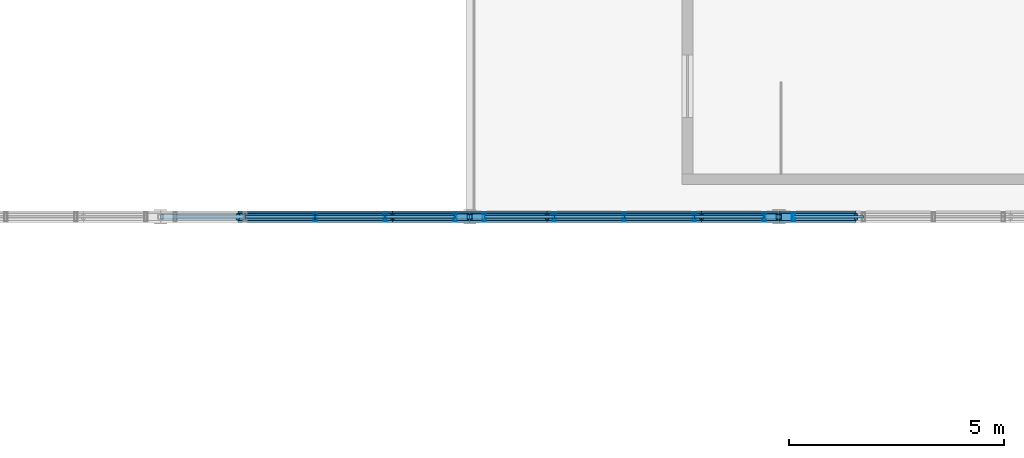
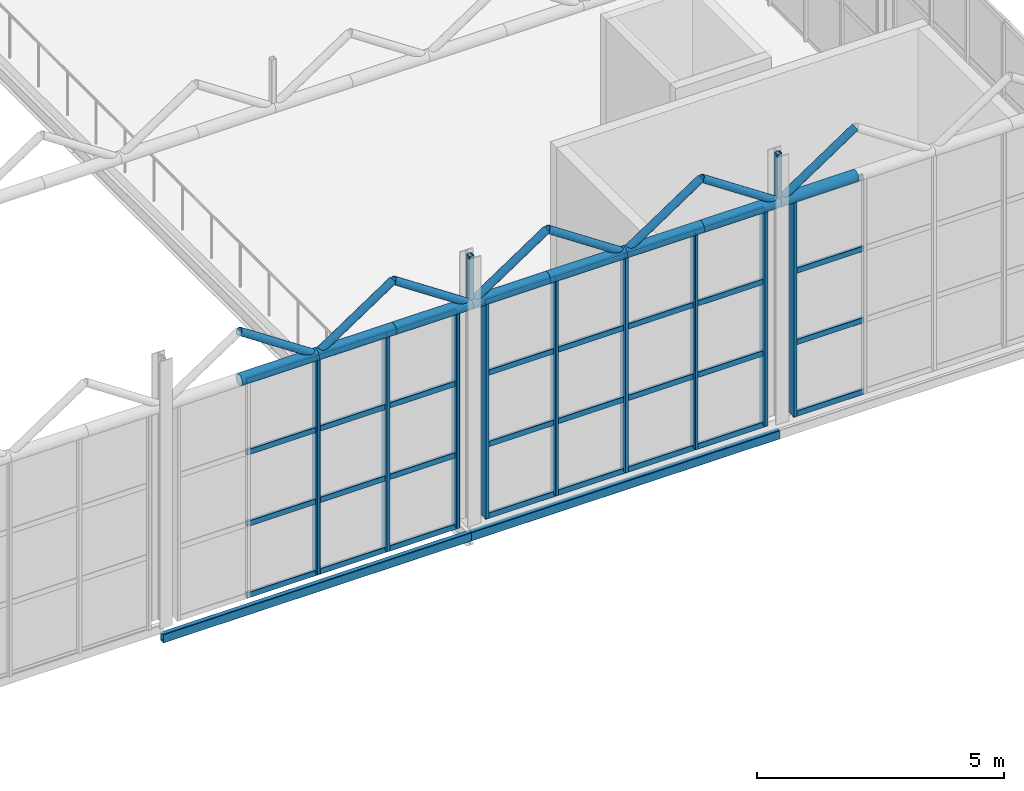
# One storey, part 85 of 153: 59 members, 2 beams, 3 elements without a shape of their own.
"""IFC4 building model written with IfcOpenShell, lengths in metres."""

from ifc_helpers import new_model, si_unit, derived_unit, direction, frame, origin, origin_2d, place, context, subcontext, project, spatial, hollow_rectangle, hollow_circle, extrude, material, material_profile, profile_set, type_object, element, aggregate, save


model = new_model("IFC4")

# Units and contexts
model_context = context("Model", 3, precision=1e-05, world=origin(), true_north=direction((0.0, 1.0)))
body_context = subcontext(model_context, "Body", "Model", "MODEL_VIEW")
ifc_project = project(units=[si_unit("LENGTHUNIT", "METRE"), si_unit("AREAUNIT", "SQUARE_METRE"), si_unit("VOLUMEUNIT", "CUBIC_METRE"), si_unit("PLANEANGLEUNIT", "RADIAN"), si_unit("MASSUNIT", "GRAM", prefix="KILO"), derived_unit("THERMALTRANSMITTANCEUNIT", [(si_unit("POWERUNIT", "WATT"), 1), (si_unit("LENGTHUNIT", "METRE"), -2), (si_unit("THERMODYNAMICTEMPERATUREUNIT", "KELVIN"), -1)])], contexts=[model_context])

# Site, building, storey
site_placement = place(None, origin())
site = spatial("IfcSite", under=ifc_project, at=site_placement, CompositionType="ELEMENT")
building_placement = place(site_placement, origin())
building = spatial("IfcBuilding", under=site, at=building_placement, Name="Keldorne Ridge Multi-Sports Centre", CompositionType="ELEMENT")
storey_placement = place(building_placement, frame((0.0, 0.0, 9.60009765625)))
storey = spatial("IfcBuildingStorey", under=building, at=storey_placement, Name="L02", CompositionType="ELEMENT", Elevation=9.60009765625)

# Beams
ifc_material_1 = material(Name="Steel S355", Category="steel")
ifc_material_profile_1 = material_profile(ifc_material_1, hollow_rectangle(XDim=0.1201171875, YDim=0.219970703125, WallThickness=0.010009765625, InnerFilletRadius=0.010009765625, OuterFilletRadius=0.02001953125, at=origin_2d()), Name="RHS 220x120x10")
ifc_profile_set_1 = profile_set([ifc_material_profile_1], Name="Steel S355")
beam_type = type_object("IfcBeamType", Name="BM-SP-07", PredefinedType="SPANDREL", material=ifc_profile_set_1)
beam_1_placement = place(storey_placement, frame((20.39990234375, 74.0, -0.360107421875), z_axis=(1.0, 0.0, 0.0), x_axis=(0.0, 1.0, 0.0)))
element("IfcBeam", 1, at=beam_1_placement, inside=storey, type_object=beam_type, Name="Climbing spandrel L02.74.3", PredefinedType="SPANDREL", context=body_context, shape_type="SweptSolid", body=[
    extrude(hollow_rectangle(XDim=0.1201171875, YDim=0.219970703125, WallThickness=0.010009765625, InnerFilletRadius=0.010009765625, OuterFilletRadius=0.02001953125, at=origin_2d()), origin(), (0.0, 0.0, 1.0), 7.2001953125),
])
beam_2_placement = place(storey_placement, frame((27.60009765625, 74.0, -0.360107421875), z_axis=(1.0, 0.0, 0.0), x_axis=(0.0, 1.0, 0.0)))
element("IfcBeam", 2, at=beam_2_placement, inside=storey, type_object=beam_type, Name="Climbing spandrel L02.74.4", PredefinedType="SPANDREL", context=body_context, shape_type="SweptSolid", body=[
    extrude(hollow_rectangle(XDim=0.1201171875, YDim=0.219970703125, WallThickness=0.010009765625, InnerFilletRadius=0.010009765625, OuterFilletRadius=0.02001953125, at=origin_2d()), origin(), (0.0, 0.0, 1.0), 7.199951171875),
])

# Curtain wall, members
ifc_material_2 = material(Name="Anodized aluminium", Category="aluminium")
curtain_wall_type_1 = type_object("IfcCurtainWallType", Name="CW-CW-05", PredefinedType="NOTDEFINED", material=ifc_material_2)
curtain_wall_1_placement = place(storey_placement, origin())
curtain_wall_1 = element("IfcCurtainWall", 3, at=curtain_wall_1_placement, inside=storey, type_object=curtain_wall_type_1, Name="Climbing upper south glazing 045", PredefinedType="NOTDEFINED")
ifc_material_profile_2 = material_profile(ifc_material_2, hollow_rectangle(XDim=0.074951171875, YDim=0.219970703125, WallThickness=0.0048828125, InnerFilletRadius=0.0048828125, OuterFilletRadius=0.010009765625, at=origin_2d()), Name="ALU MULLION 220x75x5")
ifc_profile_set_2 = profile_set([ifc_material_profile_2], Name="Anodized aluminium")
member_type_1 = type_object("IfcMemberType", Name="MEM-ML-02", PredefinedType="MULLION", material=ifc_profile_set_2)
member_1_placement = place(storey_placement, frame((24.0, 74.0, 0.0), z_axis=(0.0, 0.0, 1.0), x_axis=(1.0, 0.0, 0.0)))
member_1 = element("IfcMember", 4, at=member_1_placement, type_object=member_type_1, Name="CW-045 vertical mullion 3", PredefinedType="MULLION", context=body_context, shape_type="SweptSolid", body=[
    extrude(hollow_rectangle(XDim=0.074951171875, YDim=0.219970703125, WallThickness=0.0048828125, InnerFilletRadius=0.0048828125, OuterFilletRadius=0.010009765625, at=origin_2d()), origin(), (0.0, 0.0, 1.0), 5.2998046875),
])
member_2_placement = place(storey_placement, frame((25.6298828125, 74.0, 0.0), z_axis=(0.0, 0.0, 1.0), x_axis=(1.0, 0.0, 0.0)))
member_2 = element("IfcMember", 5, at=member_2_placement, type_object=member_type_1, Name="CW-045 vertical mullion 4", PredefinedType="MULLION", context=body_context, shape_type="SweptSolid", body=[
    extrude(hollow_rectangle(XDim=0.074951171875, YDim=0.219970703125, WallThickness=0.0048828125, InnerFilletRadius=0.0048828125, OuterFilletRadius=0.010009765625, at=origin_2d()), origin(), (0.0, 0.0, 1.0), 5.2998046875),
])
member_3_placement = place(storey_placement, frame((27.260009765625, 74.0, 0.0), z_axis=(0.0, 0.0, 1.0), x_axis=(1.0, 0.0, 0.0)))
member_3 = element("IfcMember", 6, at=member_3_placement, type_object=member_type_1, Name="CW-045 vertical mullion 5", PredefinedType="MULLION", context=body_context, shape_type="SweptSolid", body=[
    extrude(hollow_rectangle(XDim=0.074951171875, YDim=0.219970703125, WallThickness=0.0048828125, InnerFilletRadius=0.0048828125, OuterFilletRadius=0.010009765625, at=origin_2d()), origin(), (0.0, 0.0, 1.0), 5.2998046875),
])

curtain_wall_type_2 = type_object("IfcCurtainWallType", Name="CW-CW-01", PredefinedType="NOTDEFINED", material=ifc_material_2)
curtain_wall_2_placement = place(storey_placement, origin())
curtain_wall_2 = element("IfcCurtainWall", 7, at=curtain_wall_2_placement, inside=storey, type_object=curtain_wall_type_2, Name="Climbing upper south glazing 049", PredefinedType="NOTDEFINED")
member_4_placement = place(storey_placement, frame((27.93994140625, 74.0, 0.0), z_axis=(0.0, 0.0, 1.0), x_axis=(1.0, 0.0, 0.0)))
member_4 = element("IfcMember", 8, at=member_4_placement, type_object=member_type_1, Name="CW-049 vertical mullion 1", PredefinedType="MULLION", context=body_context, shape_type="SweptSolid", body=[
    extrude(hollow_rectangle(XDim=0.074951171875, YDim=0.219970703125, WallThickness=0.0048828125, InnerFilletRadius=0.0048828125, OuterFilletRadius=0.010009765625, at=origin_2d()), origin(), (0.0, 0.0, 1.0), 5.2998046875),
])
member_5_placement = place(storey_placement, frame((29.570068359375, 74.0, 0.0), z_axis=(0.0, 0.0, 1.0), x_axis=(1.0, 0.0, 0.0)))
member_5 = element("IfcMember", 9, at=member_5_placement, type_object=member_type_1, Name="CW-049 vertical mullion 2", PredefinedType="MULLION", context=body_context, shape_type="SweptSolid", body=[
    extrude(hollow_rectangle(XDim=0.074951171875, YDim=0.219970703125, WallThickness=0.0048828125, InnerFilletRadius=0.0048828125, OuterFilletRadius=0.010009765625, at=origin_2d()), origin(), (0.0, 0.0, 1.0), 5.2998046875),
])
member_6_placement = place(storey_placement, frame((31.199951171875, 74.0, 0.0), z_axis=(0.0, 0.0, 1.0), x_axis=(1.0, 0.0, 0.0)))
member_6 = element("IfcMember", 10, at=member_6_placement, type_object=member_type_1, Name="CW-049 vertical mullion 3", PredefinedType="MULLION", context=body_context, shape_type="SweptSolid", body=[
    extrude(hollow_rectangle(XDim=0.074951171875, YDim=0.219970703125, WallThickness=0.0048828125, InnerFilletRadius=0.0048828125, OuterFilletRadius=0.010009765625, at=origin_2d()), origin(), (0.0, 0.0, 1.0), 5.2998046875),
])
member_7_placement = place(storey_placement, frame((32.830078125, 74.0, 0.0), z_axis=(0.0, 0.0, 1.0), x_axis=(1.0, 0.0, 0.0)))
member_7 = element("IfcMember", 11, at=member_7_placement, type_object=member_type_1, Name="CW-049 vertical mullion 4", PredefinedType="MULLION", context=body_context, shape_type="SweptSolid", body=[
    extrude(hollow_rectangle(XDim=0.074951171875, YDim=0.219970703125, WallThickness=0.0048828125, InnerFilletRadius=0.0048828125, OuterFilletRadius=0.010009765625, at=origin_2d()), origin(), (0.0, 0.0, 1.0), 5.2998046875),
])
member_8_placement = place(storey_placement, frame((34.4599609375, 74.0, 0.0), z_axis=(0.0, 0.0, 1.0), x_axis=(1.0, 0.0, 0.0)))
member_8 = element("IfcMember", 12, at=member_8_placement, type_object=member_type_1, Name="CW-049 vertical mullion 5", PredefinedType="MULLION", context=body_context, shape_type="SweptSolid", body=[
    extrude(hollow_rectangle(XDim=0.074951171875, YDim=0.219970703125, WallThickness=0.0048828125, InnerFilletRadius=0.0048828125, OuterFilletRadius=0.010009765625, at=origin_2d()), origin(), (0.0, 0.0, 1.0), 5.2998046875),
])

# Curtain wall, member
curtain_wall_type_3 = type_object("IfcCurtainWallType", Name="CW-CW-06", PredefinedType="NOTDEFINED", material=ifc_material_2)
curtain_wall_3_placement = place(storey_placement, origin())
curtain_wall_3 = element("IfcCurtainWall", 13, at=curtain_wall_3_placement, inside=storey, type_object=curtain_wall_type_3, Name="Climbing upper south glazing 054", PredefinedType="NOTDEFINED")
member_9_placement = place(storey_placement, frame((35.139892578125, 74.0, 0.0), z_axis=(0.0, 0.0, 1.0), x_axis=(1.0, 0.0, 0.0)))
member_9 = element("IfcMember", 14, at=member_9_placement, type_object=member_type_1, Name="CW-054 vertical mullion 1", PredefinedType="MULLION", context=body_context, shape_type="SweptSolid", body=[
    extrude(hollow_rectangle(XDim=0.074951171875, YDim=0.219970703125, WallThickness=0.0048828125, InnerFilletRadius=0.0048828125, OuterFilletRadius=0.010009765625, at=origin_2d()), origin(), (0.0, 0.0, 1.0), 5.2998046875),
])

# Members
ifc_material_profile_3 = material_profile(ifc_material_1, hollow_circle(Radius=0.136474609375, WallThickness=0.012451171875, at=origin_2d()), Name="CHS 273x12.5")
ifc_profile_set_3 = profile_set([ifc_material_profile_3], Name="Steel S355")
member_type_2 = type_object("IfcMemberType", Name="MEM-TC-05", PredefinedType="CHORD", material=ifc_profile_set_3)
for number, where, z_axis, x_axis, name in (
    (15, (22.199951171875, 74.0, 5.3798828125), (1.0, 0.0, 0.0), (0.0, 1.0, 0.0), "Climbing sawtooth ROOF TRUSS ST-01 bottom chord 10"),
    (16, (24.0, 74.0, 5.3798828125), (1.0, 0.0, 0.0), (0.0, 1.0, 0.0), "Climbing sawtooth ROOF TRUSS ST-01 bottom chord 11"),
    (17, (25.800048828125, 74.0, 5.3798828125), (1.0, 0.0, 0.0), (0.0, 1.0, 0.0), "Climbing sawtooth ROOF TRUSS ST-01 bottom chord 12"),
):
    element("IfcMember", number, at=place(storey_placement, frame(where, z_axis=z_axis, x_axis=x_axis)), inside=storey, type_object=member_type_2, Name=name, PredefinedType="CHORD", context=body_context, shape_type="SweptSolid", body=[
        extrude(hollow_circle(Radius=0.136474609375, WallThickness=0.012451171875, at=origin_2d()), origin(), (0.0, 0.0, 1.0), 1.800048828125),
    ])
member_10_placement = place(storey_placement, frame((27.60009765625, 74.0, 5.3798828125), z_axis=(1.0, 0.0, 0.0), x_axis=(0.0, 1.0, 0.0)))
element("IfcMember", 18, at=member_10_placement, inside=storey, type_object=member_type_2, Name="Climbing sawtooth ROOF TRUSS ST-01 bottom chord 13", PredefinedType="CHORD", context=body_context, shape_type="SweptSolid", body=[
    extrude(hollow_circle(Radius=0.136474609375, WallThickness=0.012451171875, at=origin_2d()), origin(), (0.0, 0.0, 1.0), 1.7998046875),
])
for number, where, z_axis, x_axis, name in (
    (19, (29.39990234375, 74.0, 5.3798828125), (1.0, 0.0, 0.0), (0.0, 1.0, 0.0), "Climbing sawtooth ROOF TRUSS ST-01 bottom chord 14"),
    (20, (31.199951171875, 74.0, 5.3798828125), (1.0, 0.0, 0.0), (0.0, 1.0, 0.0), "Climbing sawtooth ROOF TRUSS ST-01 bottom chord 15"),
    (21, (33.0, 74.0, 5.3798828125), (1.0, 0.0, 0.0), (0.0, 1.0, 0.0), "Climbing sawtooth ROOF TRUSS ST-01 bottom chord 16"),
    (22, (34.800048828125, 74.0, 5.3798828125), (1.0, 0.0, 0.0), (0.0, 1.0, 0.0), "Climbing sawtooth ROOF TRUSS ST-01 bottom chord 17"),
):
    element("IfcMember", number, at=place(storey_placement, frame(where, z_axis=z_axis, x_axis=x_axis)), inside=storey, type_object=member_type_2, Name=name, PredefinedType="CHORD", context=body_context, shape_type="SweptSolid", body=[
        extrude(hollow_circle(Radius=0.136474609375, WallThickness=0.012451171875, at=origin_2d()), origin(), (0.0, 0.0, 1.0), 1.800048828125),
    ])
ifc_material_profile_4 = material_profile(ifc_material_1, hollow_circle(Radius=0.0888671875, WallThickness=0.010009765625, at=origin_2d()), Name="CHS 177.8x10")
ifc_profile_set_4 = profile_set([ifc_material_profile_4], Name="Steel S355")
member_type_3 = type_object("IfcMemberType", Name="MEM-TD-03", PredefinedType="BRACE", material=ifc_profile_set_4)
for number, where, z_axis, x_axis, name in (
    (23, (22.199951171875, 74.0, 6.579833984375), (0.832067655982, 0.0, -0.554674152876), (0.0, 1.0, 0.0), "Climbing sawtooth web diagonal 01.10"),
    (24, (24.0, 74.0, 5.3798828125), (0.832067655982, 0.0, 0.554674152876), (0.0, 1.0, 0.0), "Climbing sawtooth web diagonal 01.11"),
    (25, (25.800048828125, 74.0, 6.579833984375), (0.832067655982, 0.0, -0.554674152876), (0.0, 1.0, 0.0), "Climbing sawtooth web diagonal 01.12"),
):
    element("IfcMember", number, at=place(storey_placement, frame(where, z_axis=z_axis, x_axis=x_axis)), inside=storey, type_object=member_type_3, Name=name, PredefinedType="BRACE", context=body_context, shape_type="SweptSolid", body=[
        extrude(hollow_circle(Radius=0.0888671875, WallThickness=0.010009765625, at=origin_2d()), origin(), (0.0, 0.0, 1.0), 2.163330078125),
    ])
member_11_placement = place(storey_placement, frame((27.60009765625, 74.0, 5.3798828125), z_axis=(0.832032930248, 0.0, 0.554726241477), x_axis=(0.0, 1.0, 0.0)))
element("IfcMember", 26, at=member_11_placement, inside=storey, type_object=member_type_3, Name="Climbing sawtooth web diagonal 01.13", PredefinedType="BRACE", context=body_context, shape_type="SweptSolid", body=[
    extrude(hollow_circle(Radius=0.0888671875, WallThickness=0.010009765625, at=origin_2d()), origin(), (0.0, 0.0, 1.0), 2.1630859375),
])
for number, where, z_axis, x_axis, name in (
    (27, (29.39990234375, 74.0, 6.579833984375), (0.832067655982, 0.0, -0.554674152876), (0.0, 1.0, 0.0), "Climbing sawtooth web diagonal 01.14"),
    (28, (31.199951171875, 74.0, 5.3798828125), (0.832067655982, 0.0, 0.554674152876), (0.0, 1.0, 0.0), "Climbing sawtooth web diagonal 01.15"),
    (29, (33.0, 74.0, 6.579833984375), (0.832067655982, 0.0, -0.554674152876), (0.0, 1.0, 0.0), "Climbing sawtooth web diagonal 01.16"),
    (30, (34.800048828125, 74.0, 5.3798828125), (0.832067655982, 0.0, 0.554674152876), (0.0, 1.0, 0.0), "Climbing sawtooth web diagonal 01.17"),
):
    element("IfcMember", number, at=place(storey_placement, frame(where, z_axis=z_axis, x_axis=x_axis)), inside=storey, type_object=member_type_3, Name=name, PredefinedType="BRACE", context=body_context, shape_type="SweptSolid", body=[
        extrude(hollow_circle(Radius=0.0888671875, WallThickness=0.010009765625, at=origin_2d()), origin(), (0.0, 0.0, 1.0), 2.163330078125),
    ])

# Member
ifc_material_profile_5 = material_profile(ifc_material_2, hollow_rectangle(XDim=0.06494140625, YDim=0.139892578125, WallThickness=0.00439453125, InnerFilletRadius=0.00439453125, OuterFilletRadius=0.009033203125, at=origin_2d()), Name="ALU TRANSOM 140x65x4.5")
ifc_profile_set_5 = profile_set([ifc_material_profile_5], Name="Anodized aluminium")
member_type_4 = type_object("IfcMemberType", Name="MEM-TR-01", PredefinedType="USERDEFINED", material=ifc_profile_set_5)
member_12_placement = place(storey_placement, frame((22.3701171875, 74.0, 0.0), z_axis=(1.0, 0.0, 0.0), x_axis=(0.0, 1.0, 0.0)))
member_12 = element("IfcMember", 31, at=member_12_placement, type_object=member_type_4, Name="CW-045 transom 2.1", ObjectType="TRANSOM", PredefinedType="USERDEFINED", context=body_context, shape_type="SweptSolid", body=[
    extrude(hollow_rectangle(XDim=0.06494140625, YDim=0.139892578125, WallThickness=0.00439453125, InnerFilletRadius=0.00439453125, OuterFilletRadius=0.009033203125, at=origin_2d()), origin(), (0.0, 0.0, 1.0), 1.6298828125),
])

member_13_placement = place(storey_placement, frame((22.3701171875, 74.0, 1.7666015625), z_axis=(1.0, 0.0, 0.0), x_axis=(0.0, 1.0, 0.0)))
member_13 = element("IfcMember", 32, at=member_13_placement, type_object=member_type_4, Name="CW-045 transom 2.2", ObjectType="TRANSOM", PredefinedType="USERDEFINED", context=body_context, shape_type="SweptSolid", body=[
    extrude(hollow_rectangle(XDim=0.06494140625, YDim=0.139892578125, WallThickness=0.00439453125, InnerFilletRadius=0.00439453125, OuterFilletRadius=0.009033203125, at=origin_2d()), origin(), (0.0, 0.0, 1.0), 1.6298828125),
])

member_14_placement = place(storey_placement, frame((22.3701171875, 74.0, 3.533203125), z_axis=(1.0, 0.0, 0.0), x_axis=(0.0, 1.0, 0.0)))
member_14 = element("IfcMember", 33, at=member_14_placement, type_object=member_type_4, Name="CW-045 transom 2.3", ObjectType="TRANSOM", PredefinedType="USERDEFINED", context=body_context, shape_type="SweptSolid", body=[
    extrude(hollow_rectangle(XDim=0.06494140625, YDim=0.139892578125, WallThickness=0.00439453125, InnerFilletRadius=0.00439453125, OuterFilletRadius=0.009033203125, at=origin_2d()), origin(), (0.0, 0.0, 1.0), 1.6298828125),
])

member_15_placement = place(storey_placement, frame((22.3701171875, 74.0, 5.2998046875), z_axis=(1.0, 0.0, 0.0), x_axis=(0.0, 1.0, 0.0)))
member_15 = element("IfcMember", 34, at=member_15_placement, type_object=member_type_4, Name="CW-045 transom 2.4", ObjectType="TRANSOM", PredefinedType="USERDEFINED", context=body_context, shape_type="SweptSolid", body=[
    extrude(hollow_rectangle(XDim=0.06494140625, YDim=0.139892578125, WallThickness=0.00439453125, InnerFilletRadius=0.00439453125, OuterFilletRadius=0.009033203125, at=origin_2d()), origin(), (0.0, 0.0, 1.0), 1.6298828125),
])

member_16_placement = place(storey_placement, frame((24.0, 74.0, 0.0), z_axis=(1.0, 0.0, 0.0), x_axis=(0.0, 1.0, 0.0)))
member_16 = element("IfcMember", 35, at=member_16_placement, type_object=member_type_4, Name="CW-045 transom 3.1", ObjectType="TRANSOM", PredefinedType="USERDEFINED", context=body_context, shape_type="SweptSolid", body=[
    extrude(hollow_rectangle(XDim=0.06494140625, YDim=0.139892578125, WallThickness=0.00439453125, InnerFilletRadius=0.00439453125, OuterFilletRadius=0.009033203125, at=origin_2d()), origin(), (0.0, 0.0, 1.0), 1.6298828125),
])

member_17_placement = place(storey_placement, frame((24.0, 74.0, 1.7666015625), z_axis=(1.0, 0.0, 0.0), x_axis=(0.0, 1.0, 0.0)))
member_17 = element("IfcMember", 36, at=member_17_placement, type_object=member_type_4, Name="CW-045 transom 3.2", ObjectType="TRANSOM", PredefinedType="USERDEFINED", context=body_context, shape_type="SweptSolid", body=[
    extrude(hollow_rectangle(XDim=0.06494140625, YDim=0.139892578125, WallThickness=0.00439453125, InnerFilletRadius=0.00439453125, OuterFilletRadius=0.009033203125, at=origin_2d()), origin(), (0.0, 0.0, 1.0), 1.6298828125),
])

member_18_placement = place(storey_placement, frame((24.0, 74.0, 3.533203125), z_axis=(1.0, 0.0, 0.0), x_axis=(0.0, 1.0, 0.0)))
member_18 = element("IfcMember", 37, at=member_18_placement, type_object=member_type_4, Name="CW-045 transom 3.3", ObjectType="TRANSOM", PredefinedType="USERDEFINED", context=body_context, shape_type="SweptSolid", body=[
    extrude(hollow_rectangle(XDim=0.06494140625, YDim=0.139892578125, WallThickness=0.00439453125, InnerFilletRadius=0.00439453125, OuterFilletRadius=0.009033203125, at=origin_2d()), origin(), (0.0, 0.0, 1.0), 1.6298828125),
])

member_19_placement = place(storey_placement, frame((24.0, 74.0, 5.2998046875), z_axis=(1.0, 0.0, 0.0), x_axis=(0.0, 1.0, 0.0)))
member_19 = element("IfcMember", 38, at=member_19_placement, type_object=member_type_4, Name="CW-045 transom 3.4", ObjectType="TRANSOM", PredefinedType="USERDEFINED", context=body_context, shape_type="SweptSolid", body=[
    extrude(hollow_rectangle(XDim=0.06494140625, YDim=0.139892578125, WallThickness=0.00439453125, InnerFilletRadius=0.00439453125, OuterFilletRadius=0.009033203125, at=origin_2d()), origin(), (0.0, 0.0, 1.0), 1.6298828125),
])

member_20_placement = place(storey_placement, frame((25.6298828125, 74.0, 0.0), z_axis=(1.0, 0.0, 0.0), x_axis=(0.0, 1.0, 0.0)))
member_20 = element("IfcMember", 39, at=member_20_placement, type_object=member_type_4, Name="CW-045 transom 4.1", ObjectType="TRANSOM", PredefinedType="USERDEFINED", context=body_context, shape_type="SweptSolid", body=[
    extrude(hollow_rectangle(XDim=0.06494140625, YDim=0.139892578125, WallThickness=0.00439453125, InnerFilletRadius=0.00439453125, OuterFilletRadius=0.009033203125, at=origin_2d()), origin(), (0.0, 0.0, 1.0), 1.630126953125),
])

member_21_placement = place(storey_placement, frame((25.6298828125, 74.0, 1.7666015625), z_axis=(1.0, 0.0, 0.0), x_axis=(0.0, 1.0, 0.0)))
member_21 = element("IfcMember", 40, at=member_21_placement, type_object=member_type_4, Name="CW-045 transom 4.2", ObjectType="TRANSOM", PredefinedType="USERDEFINED", context=body_context, shape_type="SweptSolid", body=[
    extrude(hollow_rectangle(XDim=0.06494140625, YDim=0.139892578125, WallThickness=0.00439453125, InnerFilletRadius=0.00439453125, OuterFilletRadius=0.009033203125, at=origin_2d()), origin(), (0.0, 0.0, 1.0), 1.630126953125),
])

member_22_placement = place(storey_placement, frame((25.6298828125, 74.0, 3.533203125), z_axis=(1.0, 0.0, 0.0), x_axis=(0.0, 1.0, 0.0)))
member_22 = element("IfcMember", 41, at=member_22_placement, type_object=member_type_4, Name="CW-045 transom 4.3", ObjectType="TRANSOM", PredefinedType="USERDEFINED", context=body_context, shape_type="SweptSolid", body=[
    extrude(hollow_rectangle(XDim=0.06494140625, YDim=0.139892578125, WallThickness=0.00439453125, InnerFilletRadius=0.00439453125, OuterFilletRadius=0.009033203125, at=origin_2d()), origin(), (0.0, 0.0, 1.0), 1.630126953125),
])

member_23_placement = place(storey_placement, frame((25.6298828125, 74.0, 5.2998046875), z_axis=(1.0, 0.0, 0.0), x_axis=(0.0, 1.0, 0.0)))
member_23 = element("IfcMember", 42, at=member_23_placement, type_object=member_type_4, Name="CW-045 transom 4.4", ObjectType="TRANSOM", PredefinedType="USERDEFINED", context=body_context, shape_type="SweptSolid", body=[
    extrude(hollow_rectangle(XDim=0.06494140625, YDim=0.139892578125, WallThickness=0.00439453125, InnerFilletRadius=0.00439453125, OuterFilletRadius=0.009033203125, at=origin_2d()), origin(), (0.0, 0.0, 1.0), 1.630126953125),
])

aggregate(curtain_wall_1, [member_1, member_2, member_3, member_12, member_13, member_14, member_15, member_16, member_17, member_18, member_19, member_20, member_21, member_22, member_23])

member_24_placement = place(storey_placement, frame((27.93994140625, 74.0, 0.0), z_axis=(1.0, 0.0, 0.0), x_axis=(0.0, 1.0, 0.0)))
member_24 = element("IfcMember", 43, at=member_24_placement, type_object=member_type_4, Name="CW-049 transom 1.1", ObjectType="TRANSOM", PredefinedType="USERDEFINED", context=body_context, shape_type="SweptSolid", body=[
    extrude(hollow_rectangle(XDim=0.06494140625, YDim=0.139892578125, WallThickness=0.00439453125, InnerFilletRadius=0.00439453125, OuterFilletRadius=0.009033203125, at=origin_2d()), origin(), (0.0, 0.0, 1.0), 1.630126953125),
])

member_25_placement = place(storey_placement, frame((27.93994140625, 74.0, 1.7666015625), z_axis=(1.0, 0.0, 0.0), x_axis=(0.0, 1.0, 0.0)))
member_25 = element("IfcMember", 44, at=member_25_placement, type_object=member_type_4, Name="CW-049 transom 1.2", ObjectType="TRANSOM", PredefinedType="USERDEFINED", context=body_context, shape_type="SweptSolid", body=[
    extrude(hollow_rectangle(XDim=0.06494140625, YDim=0.139892578125, WallThickness=0.00439453125, InnerFilletRadius=0.00439453125, OuterFilletRadius=0.009033203125, at=origin_2d()), origin(), (0.0, 0.0, 1.0), 1.630126953125),
])

member_26_placement = place(storey_placement, frame((27.93994140625, 74.0, 3.533203125), z_axis=(1.0, 0.0, 0.0), x_axis=(0.0, 1.0, 0.0)))
member_26 = element("IfcMember", 45, at=member_26_placement, type_object=member_type_4, Name="CW-049 transom 1.3", ObjectType="TRANSOM", PredefinedType="USERDEFINED", context=body_context, shape_type="SweptSolid", body=[
    extrude(hollow_rectangle(XDim=0.06494140625, YDim=0.139892578125, WallThickness=0.00439453125, InnerFilletRadius=0.00439453125, OuterFilletRadius=0.009033203125, at=origin_2d()), origin(), (0.0, 0.0, 1.0), 1.630126953125),
])

member_27_placement = place(storey_placement, frame((27.93994140625, 74.0, 5.2998046875), z_axis=(1.0, 0.0, 0.0), x_axis=(0.0, 1.0, 0.0)))
member_27 = element("IfcMember", 46, at=member_27_placement, type_object=member_type_4, Name="CW-049 transom 1.4", ObjectType="TRANSOM", PredefinedType="USERDEFINED", context=body_context, shape_type="SweptSolid", body=[
    extrude(hollow_rectangle(XDim=0.06494140625, YDim=0.139892578125, WallThickness=0.00439453125, InnerFilletRadius=0.00439453125, OuterFilletRadius=0.009033203125, at=origin_2d()), origin(), (0.0, 0.0, 1.0), 1.630126953125),
])

member_28_placement = place(storey_placement, frame((29.570068359375, 74.0, 0.0), z_axis=(1.0, 0.0, 0.0), x_axis=(0.0, 1.0, 0.0)))
member_28 = element("IfcMember", 47, at=member_28_placement, type_object=member_type_4, Name="CW-049 transom 2.1", ObjectType="TRANSOM", PredefinedType="USERDEFINED", context=body_context, shape_type="SweptSolid", body=[
    extrude(hollow_rectangle(XDim=0.06494140625, YDim=0.139892578125, WallThickness=0.00439453125, InnerFilletRadius=0.00439453125, OuterFilletRadius=0.009033203125, at=origin_2d()), origin(), (0.0, 0.0, 1.0), 1.6298828125),
])

member_29_placement = place(storey_placement, frame((29.570068359375, 74.0, 1.7666015625), z_axis=(1.0, 0.0, 0.0), x_axis=(0.0, 1.0, 0.0)))
member_29 = element("IfcMember", 48, at=member_29_placement, type_object=member_type_4, Name="CW-049 transom 2.2", ObjectType="TRANSOM", PredefinedType="USERDEFINED", context=body_context, shape_type="SweptSolid", body=[
    extrude(hollow_rectangle(XDim=0.06494140625, YDim=0.139892578125, WallThickness=0.00439453125, InnerFilletRadius=0.00439453125, OuterFilletRadius=0.009033203125, at=origin_2d()), origin(), (0.0, 0.0, 1.0), 1.6298828125),
])

member_30_placement = place(storey_placement, frame((29.570068359375, 74.0, 3.533203125), z_axis=(1.0, 0.0, 0.0), x_axis=(0.0, 1.0, 0.0)))
member_30 = element("IfcMember", 49, at=member_30_placement, type_object=member_type_4, Name="CW-049 transom 2.3", ObjectType="TRANSOM", PredefinedType="USERDEFINED", context=body_context, shape_type="SweptSolid", body=[
    extrude(hollow_rectangle(XDim=0.06494140625, YDim=0.139892578125, WallThickness=0.00439453125, InnerFilletRadius=0.00439453125, OuterFilletRadius=0.009033203125, at=origin_2d()), origin(), (0.0, 0.0, 1.0), 1.6298828125),
])

member_31_placement = place(storey_placement, frame((29.570068359375, 74.0, 5.2998046875), z_axis=(1.0, 0.0, 0.0), x_axis=(0.0, 1.0, 0.0)))
member_31 = element("IfcMember", 50, at=member_31_placement, type_object=member_type_4, Name="CW-049 transom 2.4", ObjectType="TRANSOM", PredefinedType="USERDEFINED", context=body_context, shape_type="SweptSolid", body=[
    extrude(hollow_rectangle(XDim=0.06494140625, YDim=0.139892578125, WallThickness=0.00439453125, InnerFilletRadius=0.00439453125, OuterFilletRadius=0.009033203125, at=origin_2d()), origin(), (0.0, 0.0, 1.0), 1.6298828125),
])

member_32_placement = place(storey_placement, frame((31.199951171875, 74.0, 0.0), z_axis=(1.0, 0.0, 0.0), x_axis=(0.0, 1.0, 0.0)))
member_32 = element("IfcMember", 51, at=member_32_placement, type_object=member_type_4, Name="CW-049 transom 3.1", ObjectType="TRANSOM", PredefinedType="USERDEFINED", context=body_context, shape_type="SweptSolid", body=[
    extrude(hollow_rectangle(XDim=0.06494140625, YDim=0.139892578125, WallThickness=0.00439453125, InnerFilletRadius=0.00439453125, OuterFilletRadius=0.009033203125, at=origin_2d()), origin(), (0.0, 0.0, 1.0), 1.630126953125),
])

member_33_placement = place(storey_placement, frame((31.199951171875, 74.0, 1.7666015625), z_axis=(1.0, 0.0, 0.0), x_axis=(0.0, 1.0, 0.0)))
member_33 = element("IfcMember", 52, at=member_33_placement, type_object=member_type_4, Name="CW-049 transom 3.2", ObjectType="TRANSOM", PredefinedType="USERDEFINED", context=body_context, shape_type="SweptSolid", body=[
    extrude(hollow_rectangle(XDim=0.06494140625, YDim=0.139892578125, WallThickness=0.00439453125, InnerFilletRadius=0.00439453125, OuterFilletRadius=0.009033203125, at=origin_2d()), origin(), (0.0, 0.0, 1.0), 1.630126953125),
])

member_34_placement = place(storey_placement, frame((31.199951171875, 74.0, 3.533203125), z_axis=(1.0, 0.0, 0.0), x_axis=(0.0, 1.0, 0.0)))
member_34 = element("IfcMember", 53, at=member_34_placement, type_object=member_type_4, Name="CW-049 transom 3.3", ObjectType="TRANSOM", PredefinedType="USERDEFINED", context=body_context, shape_type="SweptSolid", body=[
    extrude(hollow_rectangle(XDim=0.06494140625, YDim=0.139892578125, WallThickness=0.00439453125, InnerFilletRadius=0.00439453125, OuterFilletRadius=0.009033203125, at=origin_2d()), origin(), (0.0, 0.0, 1.0), 1.630126953125),
])

member_35_placement = place(storey_placement, frame((31.199951171875, 74.0, 5.2998046875), z_axis=(1.0, 0.0, 0.0), x_axis=(0.0, 1.0, 0.0)))
member_35 = element("IfcMember", 54, at=member_35_placement, type_object=member_type_4, Name="CW-049 transom 3.4", ObjectType="TRANSOM", PredefinedType="USERDEFINED", context=body_context, shape_type="SweptSolid", body=[
    extrude(hollow_rectangle(XDim=0.06494140625, YDim=0.139892578125, WallThickness=0.00439453125, InnerFilletRadius=0.00439453125, OuterFilletRadius=0.009033203125, at=origin_2d()), origin(), (0.0, 0.0, 1.0), 1.630126953125),
])

member_36_placement = place(storey_placement, frame((32.830078125, 74.0, 0.0), z_axis=(1.0, 0.0, 0.0), x_axis=(0.0, 1.0, 0.0)))
member_36 = element("IfcMember", 55, at=member_36_placement, type_object=member_type_4, Name="CW-049 transom 4.1", ObjectType="TRANSOM", PredefinedType="USERDEFINED", context=body_context, shape_type="SweptSolid", body=[
    extrude(hollow_rectangle(XDim=0.06494140625, YDim=0.139892578125, WallThickness=0.00439453125, InnerFilletRadius=0.00439453125, OuterFilletRadius=0.009033203125, at=origin_2d()), origin(), (0.0, 0.0, 1.0), 1.6298828125),
])

member_37_placement = place(storey_placement, frame((32.830078125, 74.0, 1.7666015625), z_axis=(1.0, 0.0, 0.0), x_axis=(0.0, 1.0, 0.0)))
member_37 = element("IfcMember", 56, at=member_37_placement, type_object=member_type_4, Name="CW-049 transom 4.2", ObjectType="TRANSOM", PredefinedType="USERDEFINED", context=body_context, shape_type="SweptSolid", body=[
    extrude(hollow_rectangle(XDim=0.06494140625, YDim=0.139892578125, WallThickness=0.00439453125, InnerFilletRadius=0.00439453125, OuterFilletRadius=0.009033203125, at=origin_2d()), origin(), (0.0, 0.0, 1.0), 1.6298828125),
])

member_38_placement = place(storey_placement, frame((32.830078125, 74.0, 3.533203125), z_axis=(1.0, 0.0, 0.0), x_axis=(0.0, 1.0, 0.0)))
member_38 = element("IfcMember", 57, at=member_38_placement, type_object=member_type_4, Name="CW-049 transom 4.3", ObjectType="TRANSOM", PredefinedType="USERDEFINED", context=body_context, shape_type="SweptSolid", body=[
    extrude(hollow_rectangle(XDim=0.06494140625, YDim=0.139892578125, WallThickness=0.00439453125, InnerFilletRadius=0.00439453125, OuterFilletRadius=0.009033203125, at=origin_2d()), origin(), (0.0, 0.0, 1.0), 1.6298828125),
])

member_39_placement = place(storey_placement, frame((32.830078125, 74.0, 5.2998046875), z_axis=(1.0, 0.0, 0.0), x_axis=(0.0, 1.0, 0.0)))
member_39 = element("IfcMember", 58, at=member_39_placement, type_object=member_type_4, Name="CW-049 transom 4.4", ObjectType="TRANSOM", PredefinedType="USERDEFINED", context=body_context, shape_type="SweptSolid", body=[
    extrude(hollow_rectangle(XDim=0.06494140625, YDim=0.139892578125, WallThickness=0.00439453125, InnerFilletRadius=0.00439453125, OuterFilletRadius=0.009033203125, at=origin_2d()), origin(), (0.0, 0.0, 1.0), 1.6298828125),
])

aggregate(curtain_wall_2, [member_4, member_5, member_6, member_7, member_8, member_24, member_25, member_26, member_27, member_28, member_29, member_30, member_31, member_32, member_33, member_34, member_35, member_36, member_37, member_38, member_39])

member_40_placement = place(storey_placement, frame((35.139892578125, 74.0, 0.0), z_axis=(1.0, 0.0, 0.0), x_axis=(0.0, 1.0, 0.0)))
member_40 = element("IfcMember", 59, at=member_40_placement, type_object=member_type_4, Name="CW-054 transom 1.1", ObjectType="TRANSOM", PredefinedType="USERDEFINED", context=body_context, shape_type="SweptSolid", body=[
    extrude(hollow_rectangle(XDim=0.06494140625, YDim=0.139892578125, WallThickness=0.00439453125, InnerFilletRadius=0.00439453125, OuterFilletRadius=0.009033203125, at=origin_2d()), origin(), (0.0, 0.0, 1.0), 1.630126953125),
])

member_41_placement = place(storey_placement, frame((35.139892578125, 74.0, 1.7666015625), z_axis=(1.0, 0.0, 0.0), x_axis=(0.0, 1.0, 0.0)))
member_41 = element("IfcMember", 60, at=member_41_placement, type_object=member_type_4, Name="CW-054 transom 1.2", ObjectType="TRANSOM", PredefinedType="USERDEFINED", context=body_context, shape_type="SweptSolid", body=[
    extrude(hollow_rectangle(XDim=0.06494140625, YDim=0.139892578125, WallThickness=0.00439453125, InnerFilletRadius=0.00439453125, OuterFilletRadius=0.009033203125, at=origin_2d()), origin(), (0.0, 0.0, 1.0), 1.630126953125),
])

member_42_placement = place(storey_placement, frame((35.139892578125, 74.0, 3.533203125), z_axis=(1.0, 0.0, 0.0), x_axis=(0.0, 1.0, 0.0)))
member_42 = element("IfcMember", 61, at=member_42_placement, type_object=member_type_4, Name="CW-054 transom 1.3", ObjectType="TRANSOM", PredefinedType="USERDEFINED", context=body_context, shape_type="SweptSolid", body=[
    extrude(hollow_rectangle(XDim=0.06494140625, YDim=0.139892578125, WallThickness=0.00439453125, InnerFilletRadius=0.00439453125, OuterFilletRadius=0.009033203125, at=origin_2d()), origin(), (0.0, 0.0, 1.0), 1.630126953125),
])

member_43_placement = place(storey_placement, frame((35.139892578125, 74.0, 5.2998046875), z_axis=(1.0, 0.0, 0.0), x_axis=(0.0, 1.0, 0.0)))
member_43 = element("IfcMember", 62, at=member_43_placement, type_object=member_type_4, Name="CW-054 transom 1.4", ObjectType="TRANSOM", PredefinedType="USERDEFINED", context=body_context, shape_type="SweptSolid", body=[
    extrude(hollow_rectangle(XDim=0.06494140625, YDim=0.139892578125, WallThickness=0.00439453125, InnerFilletRadius=0.00439453125, OuterFilletRadius=0.009033203125, at=origin_2d()), origin(), (0.0, 0.0, 1.0), 1.630126953125),
])

aggregate(curtain_wall_3, [member_9, member_40, member_41, member_42, member_43])

# Members
ifc_material_profile_6 = material_profile(ifc_material_1, hollow_rectangle(XDim=0.1201171875, YDim=0.1201171875, WallThickness=0.008056640625, InnerFilletRadius=0.008056640625, OuterFilletRadius=0.01611328125, at=origin_2d()), Name="SHS 120x120x8")
ifc_profile_set_6 = profile_set([ifc_material_profile_6], Name="Steel S355")
member_type_5 = type_object("IfcMemberType", Name="MEM-TV-02", PredefinedType="STRUT", material=ifc_profile_set_6)
for number, where, z_axis, x_axis, name in (
    (63, (27.60009765625, 74.0, 5.3798828125), (0.0, 0.0, 1.0), (1.0, 0.0, 0.0), "Climbing sawtooth vertical strut 01.4"),
    (64, (34.800048828125, 74.0, 5.3798828125), (0.0, 0.0, 1.0), (1.0, 0.0, 0.0), "Climbing sawtooth vertical strut 01.5"),
):
    element("IfcMember", number, at=place(storey_placement, frame(where, z_axis=z_axis, x_axis=x_axis)), inside=storey, type_object=member_type_5, Name=name, PredefinedType="STRUT", context=body_context, shape_type="SweptSolid", body=[
        extrude(hollow_rectangle(XDim=0.1201171875, YDim=0.1201171875, WallThickness=0.008056640625, InnerFilletRadius=0.008056640625, OuterFilletRadius=0.01611328125, at=origin_2d()), origin(), (0.0, 0.0, 1.0), 1.199951171875),
    ])

save(model, "model.ifc")
